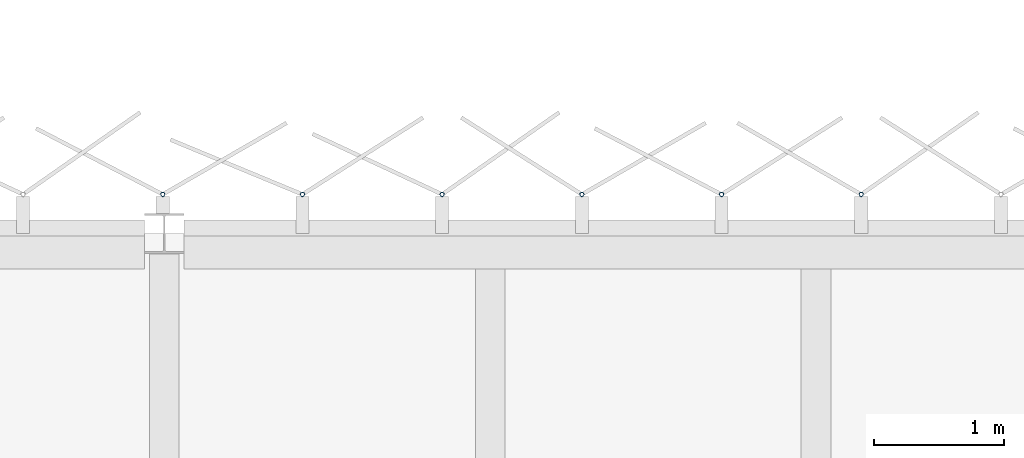
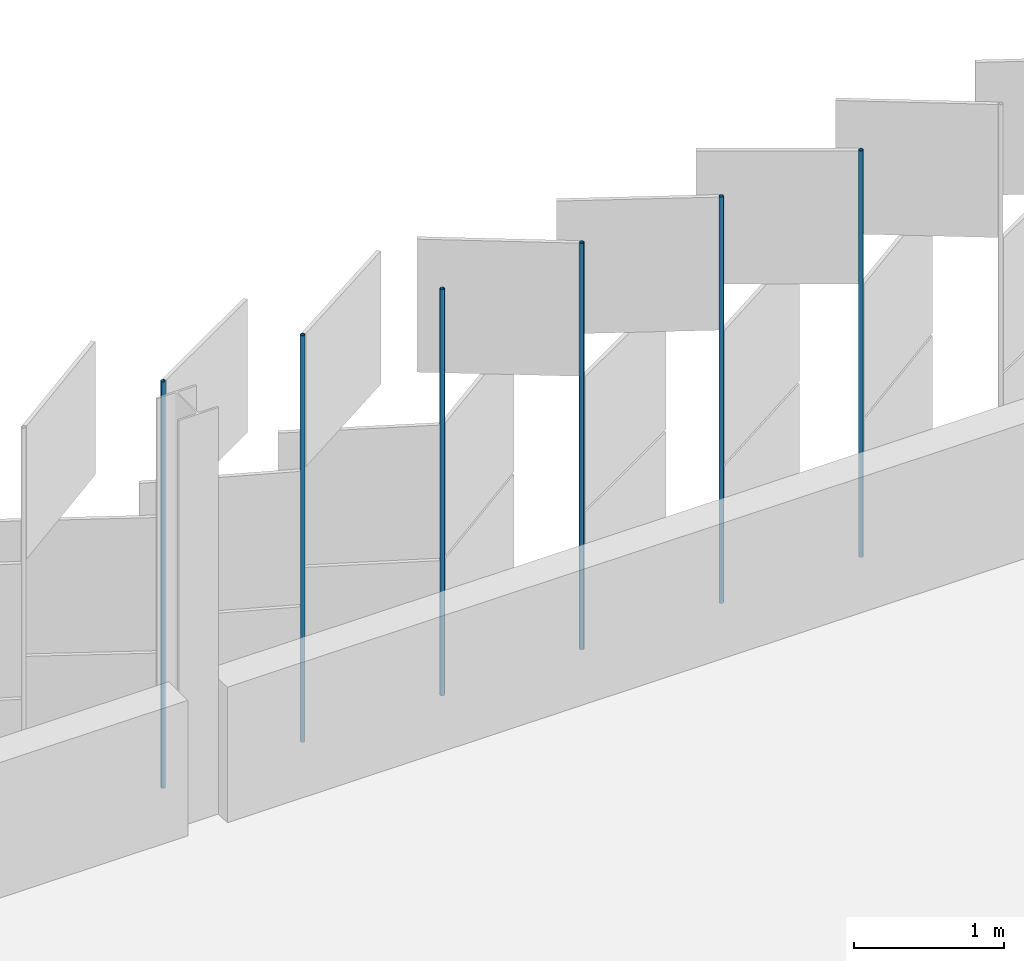
# One storey, part 139 of 198: 6 discrete accessories.
"""IFC4 building model written with IfcOpenShell, lengths in metres."""

from ifc_helpers import new_model, si_unit, direction, frame, origin, origin_2d, place, context, subcontext, project, spatial, hollow_circle, extrude, material, material_profile, profile_set, type_object, element, save


model = new_model("IFC4")

# Units and contexts
model_context = context("Model", 3, precision=1e-05, world=origin(), true_north=direction((0.0, 1.0)))
body_context = subcontext(model_context, "Body", "Model", "MODEL_VIEW")
ifc_project = project(units=[si_unit("LENGTHUNIT", "METRE"), si_unit("AREAUNIT", "SQUARE_METRE"), si_unit("VOLUMEUNIT", "CUBIC_METRE"), si_unit("PLANEANGLEUNIT", "RADIAN"), si_unit("MASSUNIT", "GRAM", prefix="KILO")], contexts=[model_context])

# Site, building, storey
site_placement = place(None, origin())
site = spatial("IfcSite", under=ifc_project, at=site_placement, CompositionType="ELEMENT")
building_placement = place(site_placement, origin())
building = spatial("IfcBuilding", under=site, at=building_placement, Name="Parallax Yard Mobility Hub", CompositionType="ELEMENT")
storey_placement = place(building_placement, frame((0.0, 0.0, 6.60009765625)))
storey = spatial("IfcBuildingStorey", under=building, at=storey_placement, Name="L02", CompositionType="ELEMENT", Elevation=6.60009765625)

# Discrete accessories
ifc_material = material(Name="Steel ASTM A500 Gr C, hot-dip galvanised", Category="steel")
ifc_material_profile = material_profile(ifc_material, hollow_circle(Radius=0.016845703125, WallThickness=0.003173828125, at=origin_2d()), Name="CHS 33.7x3.2")
ifc_profile_set = profile_set([ifc_material_profile], Name="Steel ASTM A500 Gr C, hot-dip galvanised")
discrete_accessory_type = type_object("IfcDiscreteAccessoryType", Name="Hinge post CHS 33.7x3.2", PredefinedType="BRACKET", material=ifc_profile_set)
for number, where, z_axis, x_axis, name in (
    (1, (65.34619140625, 142.800048828125, 0.0), (0.0, 0.0, 1.0), (1.0, 0.0, 0.0), "Hinge post bay 65.3 level L02"),
    (2, (64.27490234375, 142.800048828125, 0.0), (0.0, 0.0, 1.0), (1.0, 0.0, 0.0), "Hinge post bay 65.4 level L02"),
    (3, (63.203125, 142.800048828125, 0.0), (0.0, 0.0, 1.0), (1.0, 0.0, 0.0), "Hinge post bay 65.5 level L02"),
    (4, (62.131591796875, 142.800048828125, 0.0), (0.0, 0.0, 1.0), (1.0, 0.0, 0.0), "Hinge post bay 65.6 level L02"),
    (5, (61.06005859375, 142.800048828125, 0.0), (0.0, 0.0, 1.0), (1.0, 0.0, 0.0), "Hinge post bay 65.7 level L02"),
    (6, (59.988525390625, 142.800048828125, 0.0), (0.0, 0.0, 1.0), (1.0, 0.0, 0.0), "Hinge post bay 66.1 level L02"),
):
    element("IfcDiscreteAccessory", number, at=place(storey_placement, frame(where, z_axis=z_axis, x_axis=x_axis)), inside=storey, type_object=discrete_accessory_type, Name=name, PredefinedType="BRACKET", context=body_context, shape_type="SweptSolid", body=[
        extrude(hollow_circle(Radius=0.016845703125, WallThickness=0.003173828125, at=origin_2d()), origin(), (0.0, 0.0, 1.0), 3.2998046875),
    ])

save(model, "model.ifc")
